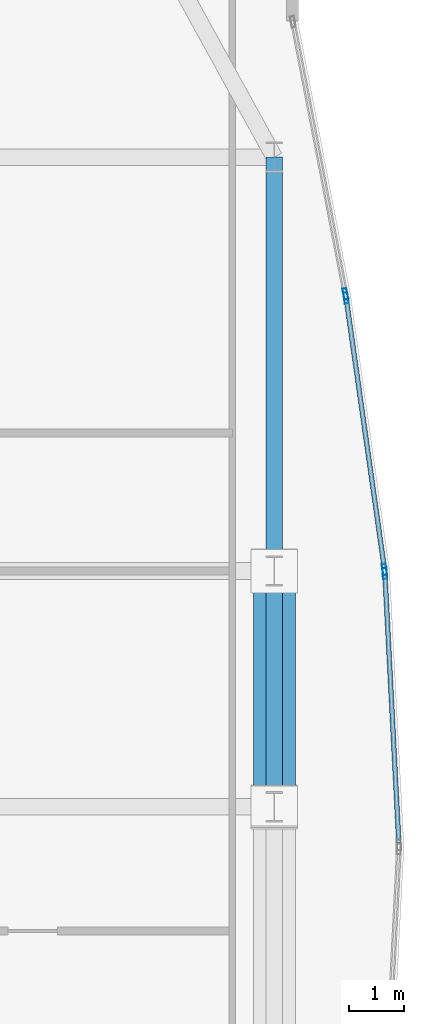
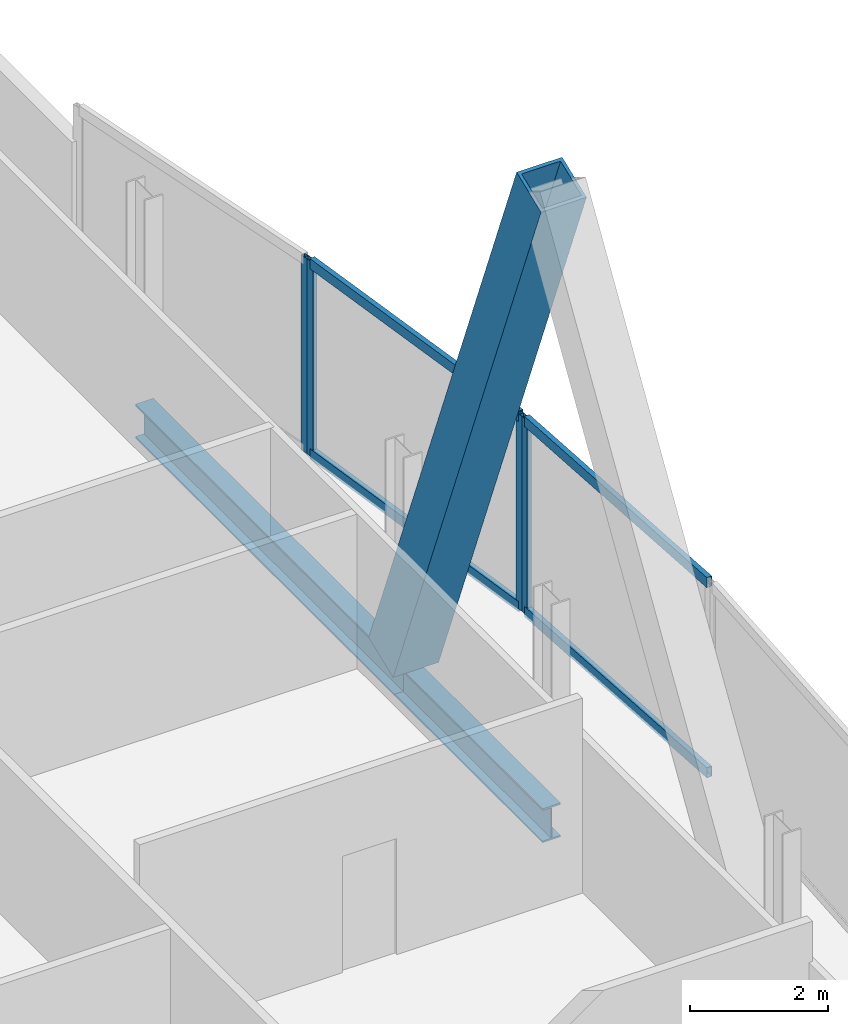
# One storey, part 23 of 33: 9 members, 2 beams, 3 elements without a shape of their own.
"""IFC4 building model written with IfcOpenShell, lengths in metres."""

from ifc_helpers import new_model, si_unit, direction, frame, origin, origin_2d, place, context, subcontext, project, spatial, hollow_rectangle, i_section, extrude, material, material_profile, profile_set, type_object, element, aggregate, save


model = new_model("IFC4")

# Units and contexts
model_context = context("Model", 3, precision=1e-05, world=origin(), true_north=direction((0.0, 1.0)))
body_context = subcontext(model_context, "Body", "Model", "MODEL_VIEW")
ifc_project = project(units=[si_unit("LENGTHUNIT", "METRE"), si_unit("AREAUNIT", "SQUARE_METRE"), si_unit("VOLUMEUNIT", "CUBIC_METRE"), si_unit("PLANEANGLEUNIT", "RADIAN"), si_unit("MASSUNIT", "GRAM", prefix="KILO")], contexts=[model_context])

# Site, building, storey
site_placement = place(None, origin())
site = spatial("IfcSite", under=ifc_project, at=site_placement, CompositionType="ELEMENT")
building_placement = place(site_placement, origin())
building = spatial("IfcBuilding", under=site, at=building_placement, Name="Khoronbel Lancet Exchange", CompositionType="ELEMENT")
storey_placement = place(building_placement, frame((0.0, 0.0, 118.199951171875)))
storey = spatial("IfcBuildingStorey", under=building, at=storey_placement, Name="L28", CompositionType="ELEMENT", Elevation=118.199951171875)

# Beams
ifc_material_1 = material(Name="Steel S355", Category="steel")
ifc_material_profile_1 = material_profile(ifc_material_1, i_section(OverallWidth=0.300048828125, OverallDepth=0.60009765625, WebThickness=0.015380859375, FlangeThickness=0.030029296875, at=origin_2d()), Name="HEB 600")
ifc_profile_set_1 = profile_set([ifc_material_profile_1], Name="Steel S355")
beam_type = type_object("IfcBeamType", Name="BM-BSP2", PredefinedType="SPANDREL", material=ifc_profile_set_1)
beam_1_placement = place(storey_placement, frame((69.6298828125, 31.425048828125, -0.4599609375), z_axis=(0.0, 1.0, 0.0), x_axis=(-1.0, 0.0, 0.0)))
element("IfcBeam", 1, at=beam_1_placement, inside=storey, type_object=beam_type, Name="Level L28 perimeter spandrel beam SP13", PredefinedType="SPANDREL", context=body_context, shape_type="SweptSolid", body=[
    extrude(i_section(OverallWidth=0.300048828125, OverallDepth=0.60009765625, WebThickness=0.015380859375, FlangeThickness=0.030029296875, at=origin_2d()), origin(), (0.0, 0.0, 1.0), 4.27490234375),
])
beam_2_placement = place(storey_placement, frame((69.6298828125, 35.699951171875, -0.4599609375), z_axis=(0.0, 1.0, 0.0), x_axis=(-1.0, 0.0, 0.0)))
element("IfcBeam", 2, at=beam_2_placement, inside=storey, type_object=beam_type, Name="Level L28 perimeter spandrel beam SP14", PredefinedType="SPANDREL", context=body_context, shape_type="SweptSolid", body=[
    extrude(i_section(OverallWidth=0.300048828125, OverallDepth=0.60009765625, WebThickness=0.015380859375, FlangeThickness=0.030029296875, at=origin_2d()), origin(), (0.0, 0.0, 1.0), 7.5),
])

# Curtain wall, member
ifc_material_2 = material(Name="Low-E Solar Control Insulating Glass", Category="glass")
curtain_wall_type = type_object("IfcCurtainWallType", Name="CW-4", PredefinedType="NOTDEFINED", material=ifc_material_2)
curtain_wall_1_placement = place(storey_placement, origin())
curtain_wall_1 = element("IfcCurtainWall", 3, at=curtain_wall_1_placement, inside=storey, type_object=curtain_wall_type, Name="Unitised curtain wall CW-L28-E17", PredefinedType="NOTDEFINED")
ifc_material_3 = material(Name="Bronze-Anodised Aluminium 6063-T6", Category="aluminium")
ifc_material_profile_2 = material_profile(ifc_material_3, hollow_rectangle(XDim=0.074951171875, YDim=0.199951171875, WallThickness=0.0048828125, at=origin_2d()), Name="ALU MULLION 75x200")
ifc_profile_set_2 = profile_set([ifc_material_profile_2], Name="Bronze-Anodised Aluminium 6063-T6")
member_type_1 = type_object("IfcMemberType", Name="MEM-CWM2", PredefinedType="MULLION", material=ifc_profile_set_2)
member_1_placement = place(storey_placement, frame((70.919189453125, 40.721923828125, 0.0), z_axis=(0.0, 0.0, 1.0), x_axis=(0.981872742913, 0.189541332498, 0.0)))
member_1 = element("IfcMember", 4, at=member_1_placement, type_object=member_type_1, Name="CW4 mullion 2", PredefinedType="MULLION", context=body_context, shape_type="SweptSolid", body=[
    extrude(hollow_rectangle(XDim=0.074951171875, YDim=0.199951171875, WallThickness=0.0048828125, at=origin_2d()), origin(), (0.0, 0.0, 1.0), 3.43994140625),
])
aggregate(curtain_wall_1, [member_1])

# Curtain wall, members
curtain_wall_2_placement = place(storey_placement, origin())
curtain_wall_2 = element("IfcCurtainWall", 5, at=curtain_wall_2_placement, inside=storey, type_object=curtain_wall_type, Name="Unitised curtain wall CW-L28-E18", PredefinedType="NOTDEFINED")
member_2_placement = place(storey_placement, frame((70.931640625, 40.64794921875, 0.0), z_axis=(0.0, 0.0, 1.0), x_axis=(0.990162106971, 0.139924986756, 0.0)))
member_2 = element("IfcMember", 6, at=member_2_placement, type_object=member_type_1, Name="CW4 mullion 1", PredefinedType="MULLION", context=body_context, shape_type="SweptSolid", body=[
    extrude(hollow_rectangle(XDim=0.074951171875, YDim=0.199951171875, WallThickness=0.0048828125, at=origin_2d()), origin(), (0.0, 0.0, 1.0), 3.43994140625),
])
member_3_placement = place(storey_placement, frame((71.626953125, 35.728515625, 0.0), z_axis=(0.0, 0.0, 1.0), x_axis=(0.990162106971, 0.139924986756, 0.0)))
member_3 = element("IfcMember", 7, at=member_3_placement, type_object=member_type_1, Name="CW4 mullion 2", PredefinedType="MULLION", context=body_context, shape_type="SweptSolid", body=[
    extrude(hollow_rectangle(XDim=0.074951171875, YDim=0.199951171875, WallThickness=0.0048828125, at=origin_2d()), origin(), (0.0, 0.0, 1.0), 3.43994140625),
])

# Curtain wall, member
curtain_wall_3_placement = place(storey_placement, origin())
curtain_wall_3 = element("IfcCurtainWall", 8, at=curtain_wall_3_placement, inside=storey, type_object=curtain_wall_type, Name="Unitised curtain wall CW-L28-E19", PredefinedType="NOTDEFINED")
member_4_placement = place(storey_placement, frame((71.634033203125, 35.654052734375, 0.0), z_axis=(0.0, 0.0, 1.0), x_axis=(0.998664735798, 0.051659901994, 0.0)))
member_4 = element("IfcMember", 9, at=member_4_placement, type_object=member_type_1, Name="CW4 mullion 1", PredefinedType="MULLION", context=body_context, shape_type="SweptSolid", body=[
    extrude(hollow_rectangle(XDim=0.074951171875, YDim=0.199951171875, WallThickness=0.0048828125, at=origin_2d()), origin(), (0.0, 0.0, 1.0), 3.43994140625),
])

# Member
ifc_material_profile_3 = material_profile(ifc_material_3, hollow_rectangle(XDim=0.0849609375, YDim=0.179931640625, WallThickness=0.0048828125, at=origin_2d()), Name="ALU TRANSOM 85x180")
ifc_profile_set_3 = profile_set([ifc_material_profile_3], Name="Bronze-Anodised Aluminium 6063-T6")
member_type_2 = type_object("IfcMemberType", Name="MEM-CWT1", PredefinedType="USERDEFINED", material=ifc_profile_set_3)
member_5_placement = place(storey_placement, frame((70.93701171875, 40.61083984375, 0.04248046875), z_axis=(0.139898470915, -0.990165853701, 0.0), x_axis=(0.990165853701, 0.139898470915, 0.0)))
member_5 = element("IfcMember", 10, at=member_5_placement, type_object=member_type_2, Name="CW4 transom 1.1", ObjectType="TRANSOM", PredefinedType="USERDEFINED", context=body_context, shape_type="SweptSolid", body=[
    extrude(hollow_rectangle(XDim=0.0849609375, YDim=0.179931640625, WallThickness=0.0048828125, at=origin_2d()), origin(), (0.0, 0.0, 1.0), 4.893310546875),
])

member_6_placement = place(storey_placement, frame((70.93701171875, 40.61083984375, 3.3974609375), z_axis=(0.139898470915, -0.990165853701, 0.0), x_axis=(0.990165853701, 0.139898470915, 0.0)))
member_6 = element("IfcMember", 11, at=member_6_placement, type_object=member_type_2, Name="CW4 transom 1.2", ObjectType="TRANSOM", PredefinedType="USERDEFINED", context=body_context, shape_type="SweptSolid", body=[
    extrude(hollow_rectangle(XDim=0.0849609375, YDim=0.179931640625, WallThickness=0.0048828125, at=origin_2d()), origin(), (0.0, 0.0, 1.0), 4.893310546875),
])

aggregate(curtain_wall_2, [member_2, member_3, member_5, member_6])

member_7_placement = place(storey_placement, frame((71.635986328125, 35.616455078125, 0.04248046875), z_axis=(0.051668074487, -0.99866431301, 0.0), x_axis=(0.99866431301, 0.051668074487, 0.0)))
member_7 = element("IfcMember", 12, at=member_7_placement, type_object=member_type_2, Name="CW4 transom 1.1", ObjectType="TRANSOM", PredefinedType="USERDEFINED", context=body_context, shape_type="SweptSolid", body=[
    extrude(hollow_rectangle(XDim=0.0849609375, YDim=0.179931640625, WallThickness=0.0048828125, at=origin_2d()), origin(), (0.0, 0.0, 1.0), 4.84814453125),
])

member_8_placement = place(storey_placement, frame((71.635986328125, 35.616455078125, 3.3974609375), z_axis=(0.051668074487, -0.99866431301, 0.0), x_axis=(0.99866431301, 0.051668074487, 0.0)))
member_8 = element("IfcMember", 13, at=member_8_placement, type_object=member_type_2, Name="CW4 transom 1.2", ObjectType="TRANSOM", PredefinedType="USERDEFINED", context=body_context, shape_type="SweptSolid", body=[
    extrude(hollow_rectangle(XDim=0.0849609375, YDim=0.179931640625, WallThickness=0.0048828125, at=origin_2d()), origin(), (0.0, 0.0, 1.0), 4.84814453125),
])

aggregate(curtain_wall_3, [member_4, member_7, member_8])

ifc_material_4 = material(Name="Steel S460", Category="steel")
ifc_material_profile_4 = material_profile(ifc_material_4, hollow_rectangle(XDim=0.760009765625, YDim=0.760009765625, WallThickness=0.054931640625, at=origin_2d()), Name="BOX 760x760x55")
ifc_profile_set_4 = profile_set([ifc_material_profile_4], Name="Steel S460")
member_type_3 = type_object("IfcMemberType", Name="MEM-MB1", PredefinedType="BRACE", material=ifc_profile_set_4)
member_9_placement = place(storey_placement, frame((69.6298828125, 35.699951171875, 0.0), z_axis=(0.0, -0.368039743753, 0.929810059646), x_axis=(1.0, 0.0, 0.0)))
element("IfcMember", 14, at=member_9_placement, inside=storey, type_object=member_type_3, Name="Perimeter lancet brace tier 9 E-P-R", PredefinedType="BRACE", context=body_context, shape_type="SweptSolid", body=[
    extrude(hollow_rectangle(XDim=0.760009765625, YDim=0.760009765625, WallThickness=0.054931640625, at=origin_2d()), origin(), (0.0, 0.0, 1.0), 11.615234375),
])

save(model, "model.ifc")
